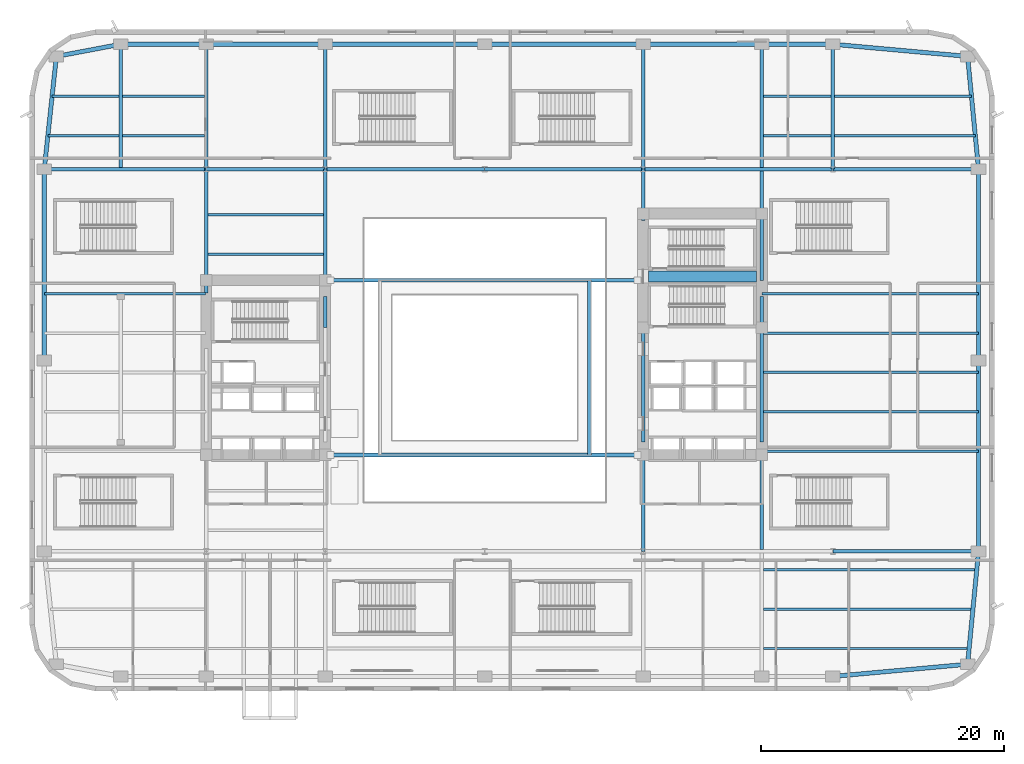
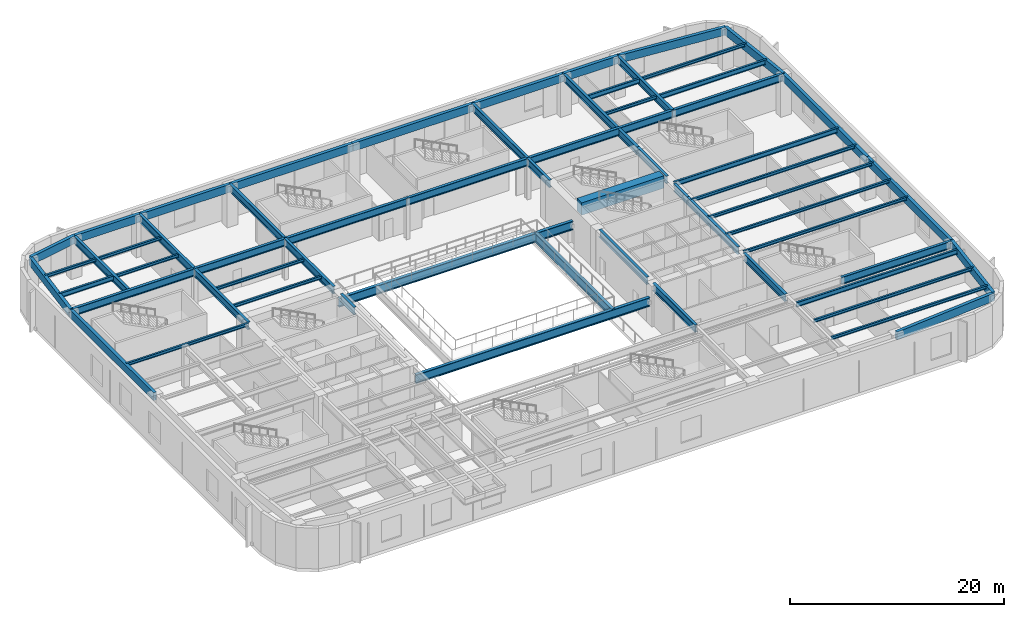
# One storey, part 5 of 24: 62 beams.
"""IFC4 building model written with IfcOpenShell, lengths in metres."""

import ifcopenshell
import ifcopenshell.guid

model = None  # the IFC model being written
_history = None  # IfcOwnerHistory: only IFC2X3 demands one
_inside = {}  # id of a spatial element -> (the spatial element, [elements in it])
_under = {}  # id of a project, library or spatial element -> (it, [spatial elements below it])
_declared = {}  # id of a project -> (the project, [libraries it declares])
_typed = {}  # id of a type object -> (the type object, [elements of that type])
_made_of = {}  # id of a material, layer set ... -> (it, [elements and type objects made of it])


def new_model(schema):
    """Start an empty IFC model of exactly this schema.

    Asked for "IFC4X3", IfcOpenShell would pick the latest addendum, in which some entities
    have other attributes; the version numbers below select the first issue.
    IFC2X3 requires an IfcOwnerHistory on every rooted entity: one is made here for all.
    """
    global model, _history
    if schema == "IFC4X3":
        model = ifcopenshell.file(schema_version=(4, 3, 0, 0))
    else:
        model = ifcopenshell.file(schema=schema)
    _inside.clear()
    _under.clear()
    _declared.clear()
    _typed.clear()
    _made_of.clear()
    _history = None
    if model.schema == "IFC2X3":
        org = make("IfcOrganization", Name="unknown")
        user = make(
            "IfcPersonAndOrganization",
            ThePerson=make("IfcPerson", FamilyName="unknown"),
            TheOrganization=org,
        )
        app = make(
            "IfcApplication",
            ApplicationDeveloper=org,
            Version="unknown",
            ApplicationFullName="unknown",
            ApplicationIdentifier="unknown",
        )
        _history = make(
            "IfcOwnerHistory",
            OwningUser=user,
            OwningApplication=app,
            ChangeAction="ADDED",
            CreationDate=0,
        )
    return model


def make(cls, **values):
    """One entity of the class cls with the attributes given. An attribute that is None is left unset."""
    return model.create_entity(
        cls, **{name: value for name, value in values.items() if value is not None}
    )


def rooted(cls, **values):
    """An entity with a GlobalId (a new one), such as an element, a storey or a relation."""
    return make(cls, GlobalId=ifcopenshell.guid.new(), OwnerHistory=_history, **values)


def si_unit(unit_type, name, prefix=None):
    """IfcSIUnit, for example si_unit("LENGTHUNIT", "METRE", prefix="MILLI")."""
    return make("IfcSIUnit", UnitType=unit_type, Prefix=prefix, Name=name)


def assignment(units):
    """IfcUnitAssignment: the units of a project."""
    return None if units is None else make("IfcUnitAssignment", Units=units)


def point(xyz):
    """IfcCartesianPoint."""
    return None if xyz is None else make("IfcCartesianPoint", Coordinates=xyz)


def direction(xyz):
    """IfcDirection."""
    return None if xyz is None else make("IfcDirection", DirectionRatios=xyz)


def frame(location, z_axis=None, x_axis=None):
    """IfcAxis2Placement3D, a coordinate frame: its origin and axes. An axis left out is left unset."""
    return make(
        "IfcAxis2Placement3D",
        Location=point(location),
        Axis=direction(z_axis),
        RefDirection=direction(x_axis),
    )


def frame_2d(location, x_axis=None):
    """IfcAxis2Placement2D, a coordinate frame in the plane: its origin and x axis."""
    return make(
        "IfcAxis2Placement2D", Location=point(location), RefDirection=direction(x_axis)
    )


def origin():
    """The frame at (0, 0, 0) with its axes left unset."""
    return frame((0.0, 0.0, 0.0))


def origin_2d():
    """The frame at (0, 0) in the plane with its x axis left unset."""
    return frame_2d((0.0, 0.0))


def place(relative_to, where):
    """IfcLocalPlacement: puts the frame where relative to a parent placement (None: the world)."""
    return make(
        "IfcLocalPlacement", PlacementRelTo=relative_to, RelativePlacement=where
    )


def context(
    kind, dimensions, precision=None, world=None, true_north=None, identifier=None
):
    """IfcGeometricRepresentationContext, for example the 3D "Model" context."""
    return make(
        "IfcGeometricRepresentationContext",
        ContextIdentifier=identifier,
        ContextType=kind,
        CoordinateSpaceDimension=dimensions,
        Precision=precision,
        WorldCoordinateSystem=world,
        TrueNorth=true_north,
    )


def subcontext(parent, identifier, kind, view, scale=None):
    """IfcGeometricRepresentationSubContext, for example "Body" below "Model"."""
    return make(
        "IfcGeometricRepresentationSubContext",
        ContextIdentifier=identifier,
        ContextType=kind,
        ParentContext=parent,
        TargetScale=scale,
        TargetView=view,
    )


def project(units=None, contexts=None):
    """IfcProject with its units and contexts."""
    return rooted(
        "IfcProject",
        Name="project",
        RepresentationContexts=contexts,
        UnitsInContext=assignment(units),
    )


def spatial(cls, under=None, at=None, **own):
    """A site, building, storey or space (cls), placed at a placement, below another one or the project."""
    s = rooted(cls, ObjectPlacement=at, **own)
    if under is not None:
        _under.setdefault(under.id(), (under, []))[1].append(s)
    return s


def profile(cls, at=None, kind="AREA", **sizes):
    """A parametric profile (cls). Its sizes go by their IFC names, for example OverallWidth=200.0."""
    return make(cls, ProfileType=kind, Position=at, **sizes)


def rectangle(**sizes):
    """IfcRectangleProfileDef."""
    return profile("IfcRectangleProfileDef", **sizes)


def hollow_rectangle(**sizes):
    """IfcRectangleHollowProfileDef."""
    return profile("IfcRectangleHollowProfileDef", **sizes)


def i_section(**sizes):
    """IfcIShapeProfileDef."""
    return profile("IfcIShapeProfileDef", **sizes)


def extrude(swept, where, along, depth):
    """IfcExtrudedAreaSolid: the profile swept, set in the frame where, extruded along a direction by depth."""
    return make(
        "IfcExtrudedAreaSolid",
        SweptArea=swept,
        Position=where,
        ExtrudedDirection=direction(along),
        Depth=depth,
    )


def shape(context_of_items, identifier, shape_type, items):
    """IfcShapeRepresentation: the items that make up one representation, for example the "Body"."""
    return make(
        "IfcShapeRepresentation",
        ContextOfItems=context_of_items,
        RepresentationIdentifier=identifier,
        RepresentationType=shape_type,
        Items=items,
    )


def material(Name=None, Category=None):
    """IfcMaterial."""
    return make("IfcMaterial", Name=Name, Category=Category)


def material_profile(
    of_material, cross_section, Name=None, Category=None, Priority=None
):
    """IfcMaterialProfile: a cross section and its material."""
    return make(
        "IfcMaterialProfile",
        Name=Name,
        Material=of_material,
        Profile=cross_section,
        Priority=Priority,
        Category=Category,
    )


def profile_set(profiles, Name=None, composite=None):
    """IfcMaterialProfileSet."""
    return make(
        "IfcMaterialProfileSet",
        Name=Name,
        MaterialProfiles=profiles,
        CompositeProfile=composite,
    )


def made_of(thing, what):
    """Note that an element or type object is made of a material, layer set ...; save() writes the relation."""
    if what is not None:
        _made_of.setdefault(what.id(), (what, []))[1].append(thing)
    return thing


def type_object(cls, material=None, **own):
    """A type object (cls), such as IfcWallType, which elements share."""
    return made_of(rooted(cls, **own), material)


def element(
    cls,
    number,
    at=None,
    inside=None,
    cuts=None,
    type_object=None,
    material=None,
    context=None,
    identifier="Body",
    shape_type=None,
    held_by="IfcProductDefinitionShape",
    body=None,
    shapes=None,
    **own,
):
    """One element of the class cls, such as IfcWall. Its Tag is "e" and its number.

    at: its placement. inside: the storey or other place that contains it. cuts: it is an
    opening in that element (IfcRelVoidsElement). A single representation is given by context,
    identifier, shape_type and body (its items); several are given by shapes. held_by: the class
    of the entity that holds the representations. save() writes the other relations.
    """
    e = rooted(cls, Tag="e%d" % number, ObjectPlacement=at, **own)
    if body is not None:
        shapes = [shape(context, identifier, shape_type, body)]
    if shapes is not None:
        e.Representation = make(held_by, Representations=shapes)
    if inside is not None:
        _inside.setdefault(inside.id(), (inside, []))[1].append(e)
    if cuts is not None:
        rooted(
            "IfcRelVoidsElement", RelatingBuildingElement=cuts, RelatedOpeningElement=e
        )
    if type_object is not None:
        _typed.setdefault(type_object.id(), (type_object, []))[1].append(e)
    return made_of(e, material)


def aggregate(whole, parts):
    """IfcRelAggregates: a whole, such as a stair, and the parts it consists of."""
    return rooted("IfcRelAggregates", RelatingObject=whole, RelatedObjects=parts)


def save(model, path):
    """Write the relations noted so far, then the file.

    IfcRelAggregates (storeys below a building ...), IfcRelContainedInSpatialStructure (elements
    in a storey), IfcRelDefinesByType, IfcRelAssociatesMaterial and IfcRelDeclares: one each for
    every whole, place, type object, material and project.
    """
    for whole, parts in _under.values():
        aggregate(whole, parts)
    for where, things in _inside.values():
        rooted(
            "IfcRelContainedInSpatialStructure",
            RelatedElements=things,
            RelatingStructure=where,
        )
    for kind, things in _typed.values():
        rooted("IfcRelDefinesByType", RelatedObjects=things, RelatingType=kind)
    for what, things in _made_of.values():
        rooted("IfcRelAssociatesMaterial", RelatedObjects=things, RelatingMaterial=what)
    for by, libraries in _declared.values():
        rooted("IfcRelDeclares", RelatingContext=by, RelatedDefinitions=libraries)
    model.write(path)


model = new_model("IFC4")

# Units and contexts
model_context = context("Model", 3, precision=1e-05, world=origin(), true_north=direction((0.0, 1.0)))
body_context = subcontext(model_context, "Body", "Model", "MODEL_VIEW")
ifc_project = project(units=[si_unit("LENGTHUNIT", "METRE"), si_unit("AREAUNIT", "SQUARE_METRE"), si_unit("VOLUMEUNIT", "CUBIC_METRE"), si_unit("PLANEANGLEUNIT", "RADIAN"), si_unit("MASSUNIT", "GRAM", prefix="KILO")], contexts=[model_context])

# Site, building, storey
site_placement = place(None, origin())
site = spatial("IfcSite", under=ifc_project, at=site_placement, CompositionType="ELEMENT")
building_placement = place(site_placement, origin())
building = spatial("IfcBuilding", under=site, at=building_placement, Name="Kolvaren Arena Tower", CompositionType="ELEMENT")
storey_placement = place(building_placement, frame((0.0, 0.0, 23.0)))
storey = spatial("IfcBuildingStorey", under=building, at=storey_placement, Name="L04", CompositionType="ELEMENT", Elevation=23.0)

# Beams
ifc_material_1 = material(Name="Steel CSA G40.21 350W", Category="steel")
ifc_material_profile_1 = material_profile(ifc_material_1, i_section(OverallWidth=0.2119140625, OverallDepth=0.54296875, WebThickness=0.01318359375, FlangeThickness=0.0244140625, FilletRadius=0.013916015625, at=origin_2d()), Name="W530x150")
ifc_profile_set_1 = profile_set([ifc_material_profile_1], Name="Steel CSA G40.21 350W")
beam_type_1 = type_object("IfcBeamType", Name="BEAM-F1", PredefinedType="BEAM", material=ifc_profile_set_1)
beam_1_placement = place(storey_placement, frame((60.49609375, 10.0, 4.37841796875), z_axis=(1.0, 0.0, 0.0), x_axis=(0.0, 1.0, 0.0)))
element("IfcBeam", 1, at=beam_1_placement, inside=storey, type_object=beam_type_1, Name="Composite Floor Beam (L04)", PredefinedType="BEAM", context=body_context, shape_type="SweptSolid", body=[
    extrude(i_section(OverallWidth=0.2119140625, OverallDepth=0.54296875, WebThickness=0.01318359375, FlangeThickness=0.0244140625, FilletRadius=0.013916015625, at=origin_2d()), origin(), (0.0, 0.0, 1.0), 17.55859375),
])
beam_2_placement = place(storey_placement, frame((60.3701171875, 32.75, 4.37841796875), z_axis=(1.0, 0.0, 0.0), x_axis=(0.0, 1.0, 0.0)))
element("IfcBeam", 2, at=beam_2_placement, inside=storey, type_object=beam_type_1, Name="Composite Floor Beam (L04)", PredefinedType="BEAM", context=body_context, shape_type="SweptSolid", body=[
    extrude(i_section(OverallWidth=0.2119140625, OverallDepth=0.54296875, WebThickness=0.01318359375, FlangeThickness=0.0244140625, FilletRadius=0.013916015625, at=origin_2d()), origin(), (0.0, 0.0, 1.0), 17.829833984375),
])
beam_3_placement = place(storey_placement, frame((1.49560546875, 45.75, 4.37841796875), z_axis=(1.0, 0.0, 0.0), x_axis=(0.0, 1.0, 0.0)))
element("IfcBeam", 3, at=beam_3_placement, inside=storey, type_object=beam_type_1, Name="Composite Floor Beam (L04)", PredefinedType="BEAM", context=body_context, shape_type="SweptSolid", body=[
    extrude(i_section(OverallWidth=0.2119140625, OverallDepth=0.54296875, WebThickness=0.01318359375, FlangeThickness=0.0244140625, FilletRadius=0.013916015625, at=origin_2d()), origin(), (0.0, 0.0, 1.0), 5.8583984375),
])
beam_4_placement = place(storey_placement, frame((66.345947265625, 45.75, 4.37841796875), z_axis=(1.0, 0.0, 0.0), x_axis=(0.0, 1.0, 0.0)))
element("IfcBeam", 4, at=beam_4_placement, inside=storey, type_object=beam_type_1, Name="Composite Floor Beam (L04)", PredefinedType="BEAM", context=body_context, shape_type="SweptSolid", body=[
    extrude(i_section(OverallWidth=0.2119140625, OverallDepth=0.54296875, WebThickness=0.01318359375, FlangeThickness=0.0244140625, FilletRadius=0.013916015625, at=origin_2d()), origin(), (0.0, 0.0, 1.0), 11.587890625),
])
beam_5_placement = place(storey_placement, frame((60.49609375, 49.0, 4.37841796875), z_axis=(1.0, 0.0, 0.0), x_axis=(0.0, 1.0, 0.0)))
element("IfcBeam", 5, at=beam_5_placement, inside=storey, type_object=beam_type_1, Name="Composite Floor Beam (L04)", PredefinedType="BEAM", context=body_context, shape_type="SweptSolid", body=[
    extrude(i_section(OverallWidth=0.2119140625, OverallDepth=0.54296875, WebThickness=0.01318359375, FlangeThickness=0.0244140625, FilletRadius=0.013916015625, at=origin_2d()), origin(), (0.0, 0.0, 1.0), 5.557861328125),
])
ifc_material_2 = material(Name="Concrete 75 MPa", Category="concrete")
ifc_material_profile_2 = material_profile(ifc_material_2, rectangle(XDim=0.89990234375, YDim=1.39990234375, at=origin_2d()), Name="RC-900x1400")
ifc_profile_set_2 = profile_set([ifc_material_profile_2], Name="Concrete 75 MPa")
beam_type_2 = type_object("IfcBeamType", Name="CB-CORE-1", PredefinedType="BEAM", material=ifc_profile_set_2)
beam_6_placement = place(storey_placement, frame((51.0, 34.14990234375, 4.219970703125), z_axis=(1.0, 0.0, 0.0), x_axis=(0.0, 1.0, 0.0)))
element("IfcBeam", 6, at=beam_6_placement, inside=storey, type_object=beam_type_2, Name="East Core Coupling Beam (L04)", PredefinedType="BEAM", context=body_context, shape_type="SweptSolid", body=[
    extrude(rectangle(XDim=0.89990234375, YDim=1.39990234375, at=origin_2d()), origin(), (0.0, 0.0, 1.0), 8.89990234375),
])
ifc_material_profile_3 = material_profile(ifc_material_1, i_section(OverallWidth=0.2919921875, OverallDepth=0.85498046875, WebThickness=0.02099609375, FlangeThickness=0.03564453125, FilletRadius=0.01806640625, at=origin_2d()), Name="W840x299")
ifc_profile_set_3 = profile_set([ifc_material_profile_3], Name="Steel CSA G40.21 350W")
beam_type_3 = type_object("IfcBeamType", Name="GIRD-P1", PredefinedType="BEAM", material=ifc_profile_set_3)
beam_7_placement = place(storey_placement, frame((66.199951171875, 11.5, 4.222412109375), z_axis=(1.0, 0.0, 0.0), x_axis=(0.0, 1.0, 0.0)))
element("IfcBeam", 7, at=beam_7_placement, inside=storey, type_object=beam_type_3, Name="Primary Floor Girder (L04)", PredefinedType="BEAM", context=body_context, shape_type="SweptSolid", body=[
    extrude(i_section(OverallWidth=0.2919921875, OverallDepth=0.85498046875, WebThickness=0.02099609375, FlangeThickness=0.03564453125, FilletRadius=0.01806640625, at=origin_2d()), origin(), (0.0, 0.0, 1.0), 12.0),
])
beam_8_placement = place(storey_placement, frame((1.199951171875, 43.0, 4.222412109375), z_axis=(1.0, 0.0, 0.0), x_axis=(0.0, 1.0, 0.0)))
element("IfcBeam", 8, at=beam_8_placement, inside=storey, type_object=beam_type_3, Name="Primary Floor Girder (L04)", PredefinedType="BEAM", context=body_context, shape_type="SweptSolid", body=[
    extrude(i_section(OverallWidth=0.2919921875, OverallDepth=0.85498046875, WebThickness=0.02099609375, FlangeThickness=0.03564453125, FilletRadius=0.01806640625, at=origin_2d()), origin(), (0.0, 0.0, 1.0), 13.35009765625),
])
beam_9_placement = place(storey_placement, frame((14.550048828125, 43.0, 4.222412109375), z_axis=(1.0, 0.0, 0.0), x_axis=(0.0, 1.0, 0.0)))
element("IfcBeam", 9, at=beam_9_placement, inside=storey, type_object=beam_type_3, Name="Primary Floor Girder (L04)", PredefinedType="BEAM", context=body_context, shape_type="SweptSolid", body=[
    extrude(i_section(OverallWidth=0.2919921875, OverallDepth=0.85498046875, WebThickness=0.02099609375, FlangeThickness=0.03564453125, FilletRadius=0.01806640625, at=origin_2d()), origin(), (0.0, 0.0, 1.0), 9.800048828125),
])
beam_10_placement = place(storey_placement, frame((24.35009765625, 43.0, 4.222412109375), z_axis=(1.0, 0.0, 0.0), x_axis=(0.0, 1.0, 0.0)))
element("IfcBeam", 10, at=beam_10_placement, inside=storey, type_object=beam_type_3, Name="Primary Floor Girder (L04)", PredefinedType="BEAM", context=body_context, shape_type="SweptSolid", body=[
    extrude(i_section(OverallWidth=0.2919921875, OverallDepth=0.85498046875, WebThickness=0.02099609375, FlangeThickness=0.03564453125, FilletRadius=0.01806640625, at=origin_2d()), origin(), (0.0, 0.0, 1.0), 13.14990234375),
])
beam_11_placement = place(storey_placement, frame((37.5, 43.0, 4.222412109375), z_axis=(1.0, 0.0, 0.0), x_axis=(0.0, 1.0, 0.0)))
element("IfcBeam", 11, at=beam_11_placement, inside=storey, type_object=beam_type_3, Name="Primary Floor Girder (L04)", PredefinedType="BEAM", context=body_context, shape_type="SweptSolid", body=[
    extrude(i_section(OverallWidth=0.2919921875, OverallDepth=0.85498046875, WebThickness=0.02099609375, FlangeThickness=0.03564453125, FilletRadius=0.01806640625, at=origin_2d()), origin(), (0.0, 0.0, 1.0), 13.050048828125),
])
beam_12_placement = place(storey_placement, frame((50.550048828125, 43.0, 4.222412109375), z_axis=(1.0, 0.0, 0.0), x_axis=(0.0, 1.0, 0.0)))
element("IfcBeam", 12, at=beam_12_placement, inside=storey, type_object=beam_type_3, Name="Primary Floor Girder (L04)", PredefinedType="BEAM", context=body_context, shape_type="SweptSolid", body=[
    extrude(i_section(OverallWidth=0.2919921875, OverallDepth=0.85498046875, WebThickness=0.02099609375, FlangeThickness=0.03564453125, FilletRadius=0.01806640625, at=origin_2d()), origin(), (0.0, 0.0, 1.0), 15.64990234375),
])
beam_13_placement = place(storey_placement, frame((66.199951171875, 43.0, 4.222412109375), z_axis=(1.0, 0.0, 0.0), x_axis=(0.0, 1.0, 0.0)))
element("IfcBeam", 13, at=beam_13_placement, inside=storey, type_object=beam_type_3, Name="Primary Floor Girder (L04)", PredefinedType="BEAM", context=body_context, shape_type="SweptSolid", body=[
    extrude(i_section(OverallWidth=0.2919921875, OverallDepth=0.85498046875, WebThickness=0.02099609375, FlangeThickness=0.03564453125, FilletRadius=0.01806640625, at=origin_2d()), origin(), (0.0, 0.0, 1.0), 12.0),
])
beam_14_placement = place(storey_placement, frame((7.5, 43.14599609375, 4.222412109375), z_axis=(0.0, 1.0, 0.0), x_axis=(-1.0, 0.0, 0.0)))
element("IfcBeam", 14, at=beam_14_placement, inside=storey, type_object=beam_type_3, Name="Primary Floor Girder (L04)", PredefinedType="BEAM", context=body_context, shape_type="SweptSolid", body=[
    extrude(i_section(OverallWidth=0.2919921875, OverallDepth=0.85498046875, WebThickness=0.02099609375, FlangeThickness=0.03564453125, FilletRadius=0.01806640625, at=origin_2d()), origin(), (0.0, 0.0, 1.0), 10.154052734375),
])
beam_15_placement = place(storey_placement, frame((14.550048828125, 32.7900390625, 4.222412109375), z_axis=(0.0, 1.0, 0.0), x_axis=(-1.0, 0.0, 0.0)))
element("IfcBeam", 15, at=beam_15_placement, inside=storey, type_object=beam_type_3, Name="Primary Floor Girder (L04)", PredefinedType="BEAM", context=body_context, shape_type="SweptSolid", body=[
    extrude(i_section(OverallWidth=0.2919921875, OverallDepth=0.85498046875, WebThickness=0.02099609375, FlangeThickness=0.03564453125, FilletRadius=0.01806640625, at=origin_2d()), origin(), (0.0, 0.0, 1.0), 10.2099609375),
])
beam_16_placement = place(storey_placement, frame((14.550048828125, 43.0, 4.222412109375), z_axis=(0.0, 1.0, 0.0), x_axis=(-1.0, 0.0, 0.0)))
element("IfcBeam", 16, at=beam_16_placement, inside=storey, type_object=beam_type_3, Name="Primary Floor Girder (L04)", PredefinedType="BEAM", context=body_context, shape_type="SweptSolid", body=[
    extrude(i_section(OverallWidth=0.2919921875, OverallDepth=0.85498046875, WebThickness=0.02099609375, FlangeThickness=0.03564453125, FilletRadius=0.01806640625, at=origin_2d()), origin(), (0.0, 0.0, 1.0), 10.300048828125),
])
beam_17_placement = place(storey_placement, frame((24.35009765625, 29.949951171875, 4.222412109375), z_axis=(0.0, 1.0, 0.0), x_axis=(-1.0, 0.0, 0.0)))
element("IfcBeam", 17, at=beam_17_placement, inside=storey, type_object=beam_type_3, Name="Primary Floor Girder (L04)", PredefinedType="BEAM", context=body_context, shape_type="SweptSolid", body=[
    extrude(i_section(OverallWidth=0.2919921875, OverallDepth=0.85498046875, WebThickness=0.02099609375, FlangeThickness=0.03564453125, FilletRadius=0.01806640625, at=origin_2d()), origin(), (0.0, 0.0, 1.0), 2.550048828125),
])
beam_18_placement = place(storey_placement, frame((24.35009765625, 33.85009765625, 4.222412109375), z_axis=(0.0, 1.0, 0.0), x_axis=(-1.0, 0.0, 0.0)))
element("IfcBeam", 18, at=beam_18_placement, inside=storey, type_object=beam_type_3, Name="Primary Floor Girder (L04)", PredefinedType="BEAM", context=body_context, shape_type="SweptSolid", body=[
    extrude(i_section(OverallWidth=0.2919921875, OverallDepth=0.85498046875, WebThickness=0.02099609375, FlangeThickness=0.03564453125, FilletRadius=0.01806640625, at=origin_2d()), origin(), (0.0, 0.0, 1.0), 9.14990234375),
])
beam_19_placement = place(storey_placement, frame((24.35009765625, 43.0, 4.222412109375), z_axis=(0.0, 1.0, 0.0), x_axis=(-1.0, 0.0, 0.0)))
element("IfcBeam", 19, at=beam_19_placement, inside=storey, type_object=beam_type_3, Name="Primary Floor Girder (L04)", PredefinedType="BEAM", context=body_context, shape_type="SweptSolid", body=[
    extrude(i_section(OverallWidth=0.2919921875, OverallDepth=0.85498046875, WebThickness=0.02099609375, FlangeThickness=0.03564453125, FilletRadius=0.01806640625, at=origin_2d()), origin(), (0.0, 0.0, 1.0), 10.300048828125),
])
beam_20_placement = place(storey_placement, frame((50.550048828125, 11.5, 4.222412109375), z_axis=(0.0, 1.0, 0.0), x_axis=(-1.0, 0.0, 0.0)))
element("IfcBeam", 20, at=beam_20_placement, inside=storey, type_object=beam_type_3, Name="Primary Floor Girder (L04)", PredefinedType="BEAM", context=body_context, shape_type="SweptSolid", body=[
    extrude(i_section(OverallWidth=0.2919921875, OverallDepth=0.85498046875, WebThickness=0.02099609375, FlangeThickness=0.03564453125, FilletRadius=0.01806640625, at=origin_2d()), origin(), (0.0, 0.0, 1.0), 7.949951171875),
])
beam_21_placement = place(storey_placement, frame((50.550048828125, 20.5, 4.222412109375), z_axis=(0.0, 1.0, 0.0), x_axis=(-1.0, 0.0, 0.0)))
element("IfcBeam", 21, at=beam_21_placement, inside=storey, type_object=beam_type_3, Name="Primary Floor Girder (L04)", PredefinedType="BEAM", context=body_context, shape_type="SweptSolid", body=[
    extrude(i_section(OverallWidth=0.2919921875, OverallDepth=0.85498046875, WebThickness=0.02099609375, FlangeThickness=0.03564453125, FilletRadius=0.01806640625, at=origin_2d()), origin(), (0.0, 0.0, 1.0), 8.989990234375),
])
beam_22_placement = place(storey_placement, frame((50.550048828125, 38.760009765625, 4.222412109375), z_axis=(0.0, 1.0, 0.0), x_axis=(-1.0, 0.0, 0.0)))
element("IfcBeam", 22, at=beam_22_placement, inside=storey, type_object=beam_type_3, Name="Primary Floor Girder (L04)", PredefinedType="BEAM", context=body_context, shape_type="SweptSolid", body=[
    extrude(i_section(OverallWidth=0.2919921875, OverallDepth=0.85498046875, WebThickness=0.02099609375, FlangeThickness=0.03564453125, FilletRadius=0.01806640625, at=origin_2d()), origin(), (0.0, 0.0, 1.0), 4.239990234375),
])
beam_23_placement = place(storey_placement, frame((50.550048828125, 43.0, 4.222412109375), z_axis=(0.0, 1.0, 0.0), x_axis=(-1.0, 0.0, 0.0)))
element("IfcBeam", 23, at=beam_23_placement, inside=storey, type_object=beam_type_3, Name="Primary Floor Girder (L04)", PredefinedType="BEAM", context=body_context, shape_type="SweptSolid", body=[
    extrude(i_section(OverallWidth=0.2919921875, OverallDepth=0.85498046875, WebThickness=0.02099609375, FlangeThickness=0.03564453125, FilletRadius=0.01806640625, at=origin_2d()), origin(), (0.0, 0.0, 1.0), 10.300048828125),
])
beam_24_placement = place(storey_placement, frame((60.35009765625, 11.64599609375, 4.222412109375), z_axis=(0.0, 1.0, 0.0), x_axis=(-1.0, 0.0, 0.0)))
element("IfcBeam", 24, at=beam_24_placement, inside=storey, type_object=beam_type_3, Name="Primary Floor Girder (L04)", PredefinedType="BEAM", context=body_context, shape_type="SweptSolid", body=[
    extrude(i_section(OverallWidth=0.2919921875, OverallDepth=0.85498046875, WebThickness=0.02099609375, FlangeThickness=0.03564453125, FilletRadius=0.01806640625, at=origin_2d()), origin(), (0.0, 0.0, 1.0), 7.803955078125),
])
beam_25_placement = place(storey_placement, frame((60.35009765625, 20.5, 4.222412109375), z_axis=(0.0, 1.0, 0.0), x_axis=(-1.0, 0.0, 0.0)))
element("IfcBeam", 25, at=beam_25_placement, inside=storey, type_object=beam_type_3, Name="Primary Floor Girder (L04)", PredefinedType="BEAM", context=body_context, shape_type="SweptSolid", body=[
    extrude(i_section(OverallWidth=0.2919921875, OverallDepth=0.85498046875, WebThickness=0.02099609375, FlangeThickness=0.03564453125, FilletRadius=0.01806640625, at=origin_2d()), origin(), (0.0, 0.0, 1.0), 9.449951171875),
])
beam_26_placement = place(storey_placement, frame((60.35009765625, 29.949951171875, 4.222412109375), z_axis=(0.0, 1.0, 0.0), x_axis=(-1.0, 0.0, 0.0)))
element("IfcBeam", 26, at=beam_26_placement, inside=storey, type_object=beam_type_3, Name="Primary Floor Girder (L04)", PredefinedType="BEAM", context=body_context, shape_type="SweptSolid", body=[
    extrude(i_section(OverallWidth=0.2919921875, OverallDepth=0.85498046875, WebThickness=0.02099609375, FlangeThickness=0.03564453125, FilletRadius=0.01806640625, at=origin_2d()), origin(), (0.0, 0.0, 1.0), 2.550048828125),
])
beam_27_placement = place(storey_placement, frame((60.35009765625, 33.85009765625, 4.222412109375), z_axis=(0.0, 1.0, 0.0), x_axis=(-1.0, 0.0, 0.0)))
element("IfcBeam", 27, at=beam_27_placement, inside=storey, type_object=beam_type_3, Name="Primary Floor Girder (L04)", PredefinedType="BEAM", context=body_context, shape_type="SweptSolid", body=[
    extrude(i_section(OverallWidth=0.2919921875, OverallDepth=0.85498046875, WebThickness=0.02099609375, FlangeThickness=0.03564453125, FilletRadius=0.01806640625, at=origin_2d()), origin(), (0.0, 0.0, 1.0), 5.5),
])
beam_28_placement = place(storey_placement, frame((60.35009765625, 39.35009765625, 4.222412109375), z_axis=(0.0, 1.0, 0.0), x_axis=(-1.0, 0.0, 0.0)))
element("IfcBeam", 28, at=beam_28_placement, inside=storey, type_object=beam_type_3, Name="Primary Floor Girder (L04)", PredefinedType="BEAM", context=body_context, shape_type="SweptSolid", body=[
    extrude(i_section(OverallWidth=0.2919921875, OverallDepth=0.85498046875, WebThickness=0.02099609375, FlangeThickness=0.03564453125, FilletRadius=0.01806640625, at=origin_2d()), origin(), (0.0, 0.0, 1.0), 3.50390625),
])
beam_29_placement = place(storey_placement, frame((60.35009765625, 43.14599609375, 4.222412109375), z_axis=(0.0, 1.0, 0.0), x_axis=(-1.0, 0.0, 0.0)))
element("IfcBeam", 29, at=beam_29_placement, inside=storey, type_object=beam_type_3, Name="Primary Floor Girder (L04)", PredefinedType="BEAM", context=body_context, shape_type="SweptSolid", body=[
    extrude(i_section(OverallWidth=0.2919921875, OverallDepth=0.85498046875, WebThickness=0.02099609375, FlangeThickness=0.03564453125, FilletRadius=0.01806640625, at=origin_2d()), origin(), (0.0, 0.0, 1.0), 10.154052734375),
])
beam_30_placement = place(storey_placement, frame((66.199951171875, 43.0, 4.222412109375), z_axis=(0.0, 1.0, 0.0), x_axis=(-1.0, 0.0, 0.0)))
element("IfcBeam", 30, at=beam_30_placement, inside=storey, type_object=beam_type_3, Name="Primary Floor Girder (L04)", PredefinedType="BEAM", context=body_context, shape_type="SweptSolid", body=[
    extrude(i_section(OverallWidth=0.2919921875, OverallDepth=0.85498046875, WebThickness=0.02099609375, FlangeThickness=0.03564453125, FilletRadius=0.01806640625, at=origin_2d()), origin(), (0.0, 0.0, 1.0), 10.300048828125),
])
ifc_material_profile_4 = material_profile(ifc_material_1, i_section(OverallWidth=0.202880859375, OverallDepth=0.346923828125, WebThickness=0.0078125, FlangeThickness=0.013427734375, FilletRadius=0.010986328125, at=origin_2d()), Name="W360x64")
ifc_profile_set_4 = profile_set([ifc_material_profile_4], Name="Steel CSA G40.21 350W")
beam_type_4 = type_object("IfcBeamType", Name="JOIST-01", PredefinedType="JOIST", material=ifc_profile_set_4)
beam_31_placement = place(storey_placement, frame((60.49609375, 3.5, 4.4765625), z_axis=(1.0, 0.0, 0.0), x_axis=(0.0, 1.0, 0.0)))
element("IfcBeam", 31, at=beam_31_placement, inside=storey, type_object=beam_type_4, Name="Composite Floor Joist (L04)", PredefinedType="JOIST", context=body_context, shape_type="SweptSolid", body=[
    extrude(i_section(OverallWidth=0.202880859375, OverallDepth=0.346923828125, WebThickness=0.0078125, FlangeThickness=0.013427734375, FilletRadius=0.010986328125, at=origin_2d()), origin(), (0.0, 0.0, 1.0), 16.9296875),
])
beam_32_placement = place(storey_placement, frame((60.49609375, 6.75, 4.4765625), z_axis=(1.0, 0.0, 0.0), x_axis=(0.0, 1.0, 0.0)))
element("IfcBeam", 32, at=beam_32_placement, inside=storey, type_object=beam_type_4, Name="Composite Floor Joist (L04)", PredefinedType="JOIST", context=body_context, shape_type="SweptSolid", body=[
    extrude(i_section(OverallWidth=0.202880859375, OverallDepth=0.346923828125, WebThickness=0.0078125, FlangeThickness=0.013427734375, FilletRadius=0.010986328125, at=origin_2d()), origin(), (0.0, 0.0, 1.0), 17.244140625),
])
for number, where, z_axis, x_axis, name in (
    (33, (60.3701171875, 19.75, 4.4765625), (1.0, 0.0, 0.0), (0.0, 1.0, 0.0), "Composite Floor Joist (L04)"),
    (34, (60.3701171875, 23.0, 4.4765625), (1.0, 0.0, 0.0), (0.0, 1.0, 0.0), "Composite Floor Joist (L04)"),
    (35, (60.3701171875, 26.25, 4.4765625), (1.0, 0.0, 0.0), (0.0, 1.0, 0.0), "Composite Floor Joist (L04)"),
    (36, (60.3701171875, 29.5, 4.4765625), (1.0, 0.0, 0.0), (0.0, 1.0, 0.0), "Composite Floor Joist (L04)"),
):
    element("IfcBeam", number, at=place(storey_placement, frame(where, z_axis=z_axis, x_axis=x_axis)), inside=storey, type_object=beam_type_4, Name=name, PredefinedType="JOIST", context=body_context, shape_type="SweptSolid", body=[
        extrude(i_section(OverallWidth=0.202880859375, OverallDepth=0.346923828125, WebThickness=0.0078125, FlangeThickness=0.013427734375, FilletRadius=0.010986328125, at=origin_2d()), origin(), (0.0, 0.0, 1.0), 17.829833984375),
    ])
beam_33_placement = place(storey_placement, frame((1.199951171875, 32.75, 4.4765625), z_axis=(1.0, 0.0, 0.0), x_axis=(0.0, 1.0, 0.0)))
element("IfcBeam", 37, at=beam_33_placement, inside=storey, type_object=beam_type_4, Name="Composite Floor Joist (L04)", PredefinedType="JOIST", context=body_context, shape_type="SweptSolid", body=[
    extrude(i_section(OverallWidth=0.202880859375, OverallDepth=0.346923828125, WebThickness=0.0078125, FlangeThickness=0.013427734375, FilletRadius=0.010986328125, at=origin_2d()), origin(), (0.0, 0.0, 1.0), 13.280029296875),
])
for number, where, z_axis, x_axis, name in (
    (38, (14.696044921875, 36.0, 4.4765625), (1.0, 0.0, 0.0), (0.0, 1.0, 0.0), "Composite Floor Joist (L04)"),
    (39, (14.696044921875, 39.25, 4.4765625), (1.0, 0.0, 0.0), (0.0, 1.0, 0.0), "Composite Floor Joist (L04)"),
):
    element("IfcBeam", number, at=place(storey_placement, frame(where, z_axis=z_axis, x_axis=x_axis)), inside=storey, type_object=beam_type_4, Name=name, PredefinedType="JOIST", context=body_context, shape_type="SweptSolid", body=[
        extrude(i_section(OverallWidth=0.202880859375, OverallDepth=0.346923828125, WebThickness=0.0078125, FlangeThickness=0.013427734375, FilletRadius=0.010986328125, at=origin_2d()), origin(), (0.0, 0.0, 1.0), 9.508056640625),
    ])
beam_34_placement = place(storey_placement, frame((7.64599609375, 45.75, 4.4765625), z_axis=(1.0, 0.0, 0.0), x_axis=(0.0, 1.0, 0.0)))
element("IfcBeam", 40, at=beam_34_placement, inside=storey, type_object=beam_type_4, Name="Composite Floor Joist (L04)", PredefinedType="JOIST", context=body_context, shape_type="SweptSolid", body=[
    extrude(i_section(OverallWidth=0.202880859375, OverallDepth=0.346923828125, WebThickness=0.0078125, FlangeThickness=0.013427734375, FilletRadius=0.010986328125, at=origin_2d()), origin(), (0.0, 0.0, 1.0), 6.758056640625),
])
beam_35_placement = place(storey_placement, frame((60.49609375, 45.75, 4.4765625), z_axis=(1.0, 0.0, 0.0), x_axis=(0.0, 1.0, 0.0)))
element("IfcBeam", 41, at=beam_35_placement, inside=storey, type_object=beam_type_4, Name="Composite Floor Joist (L04)", PredefinedType="JOIST", context=body_context, shape_type="SweptSolid", body=[
    extrude(i_section(OverallWidth=0.202880859375, OverallDepth=0.346923828125, WebThickness=0.0078125, FlangeThickness=0.013427734375, FilletRadius=0.010986328125, at=origin_2d()), origin(), (0.0, 0.0, 1.0), 5.557861328125),
])
beam_36_placement = place(storey_placement, frame((1.84521484375, 49.0, 4.4765625), z_axis=(1.0, 0.0, 0.0), x_axis=(0.0, 1.0, 0.0)))
element("IfcBeam", 42, at=beam_36_placement, inside=storey, type_object=beam_type_4, Name="Composite Floor Joist (L04)", PredefinedType="JOIST", context=body_context, shape_type="SweptSolid", body=[
    extrude(i_section(OverallWidth=0.202880859375, OverallDepth=0.346923828125, WebThickness=0.0078125, FlangeThickness=0.013427734375, FilletRadius=0.010986328125, at=origin_2d()), origin(), (0.0, 0.0, 1.0), 5.5087890625),
])
beam_37_placement = place(storey_placement, frame((7.64599609375, 49.0, 4.4765625), z_axis=(1.0, 0.0, 0.0), x_axis=(0.0, 1.0, 0.0)))
element("IfcBeam", 43, at=beam_37_placement, inside=storey, type_object=beam_type_4, Name="Composite Floor Joist (L04)", PredefinedType="JOIST", context=body_context, shape_type="SweptSolid", body=[
    extrude(i_section(OverallWidth=0.202880859375, OverallDepth=0.346923828125, WebThickness=0.0078125, FlangeThickness=0.013427734375, FilletRadius=0.010986328125, at=origin_2d()), origin(), (0.0, 0.0, 1.0), 6.758056640625),
])
beam_38_placement = place(storey_placement, frame((66.345947265625, 49.0, 4.4765625), z_axis=(1.0, 0.0, 0.0), x_axis=(0.0, 1.0, 0.0)))
element("IfcBeam", 44, at=beam_38_placement, inside=storey, type_object=beam_type_4, Name="Composite Floor Joist (L04)", PredefinedType="JOIST", context=body_context, shape_type="SweptSolid", body=[
    extrude(i_section(OverallWidth=0.202880859375, OverallDepth=0.346923828125, WebThickness=0.0078125, FlangeThickness=0.013427734375, FilletRadius=0.010986328125, at=origin_2d()), origin(), (0.0, 0.0, 1.0), 11.2734375),
])
ifc_material_profile_5 = material_profile(ifc_material_1, i_section(OverallWidth=0.323974609375, OverallDepth=1.011962890625, WebThickness=0.02685546875, FlangeThickness=0.0458984375, FilletRadius=0.02197265625, at=origin_2d()), Name="W1000x443")
ifc_profile_set_5 = profile_set([ifc_material_profile_5], Name="Steel CSA G40.21 350W")
beam_type_5 = type_object("IfcBeamType", Name="RAKER-01", PredefinedType="USERDEFINED", material=ifc_profile_set_5)
for number, where, z_axis, x_axis, name in (
    (45, (24.800048828125, 19.449951171875, 2.68408203125), (1.0, 0.0, 0.0), (0.0, 1.0, 0.0), "Arena Bowl Raker Girder (L04 S)"),
    (46, (24.800048828125, 33.85009765625, 2.68408203125), (1.0, 0.0, 0.0), (0.0, 1.0, 0.0), "Arena Bowl Raker Girder (L04 N)"),
):
    element("IfcBeam", number, at=place(storey_placement, frame(where, z_axis=z_axis, x_axis=x_axis)), inside=storey, type_object=beam_type_5, Name=name, ObjectType="RAKER GIRDER", PredefinedType="USERDEFINED", context=body_context, shape_type="SweptSolid", body=[
        extrude(i_section(OverallWidth=0.323974609375, OverallDepth=1.011962890625, WebThickness=0.02685546875, FlangeThickness=0.0458984375, FilletRadius=0.02197265625, at=origin_2d()), origin(), (0.0, 0.0, 1.0), 25.300048828125),
    ])
beam_39_placement = place(storey_placement, frame((46.14990234375, 19.449951171875, 2.68408203125), z_axis=(0.0, 1.0, 0.0), x_axis=(-1.0, 0.0, 0.0)))
element("IfcBeam", 47, at=beam_39_placement, inside=storey, type_object=beam_type_5, Name="Arena Bowl Raker Girder (L04 E)", ObjectType="RAKER GIRDER", PredefinedType="USERDEFINED", context=body_context, shape_type="SweptSolid", body=[
    extrude(i_section(OverallWidth=0.323974609375, OverallDepth=1.011962890625, WebThickness=0.02685546875, FlangeThickness=0.0458984375, FilletRadius=0.02197265625, at=origin_2d()), origin(), (0.0, 0.0, 1.0), 14.400146484375),
])
ifc_material_3 = material(Name="Steel CSA G40.21 350WT", Category="steel")
ifc_material_profile_6 = material_profile(ifc_material_3, hollow_rectangle(XDim=0.35009765625, YDim=0.89990234375, WallThickness=0.02001953125, at=origin_2d()), Name="HSS 900x350x20")
ifc_profile_set_6 = profile_set([ifc_material_profile_6], Name="Steel CSA G40.21 350WT")
beam_type_6 = type_object("IfcBeamType", Name="SPAND-01", PredefinedType="SPANDREL", material=ifc_profile_set_6)
beam_40_placement = place(storey_placement, frame((66.199951171875, 1.199951171875, 4.199951171875), z_axis=(0.995966494892, 0.089725921855, 0.0), x_axis=(-0.089725921855, 0.995966494892, 0.0)))
element("IfcBeam", 48, at=beam_40_placement, inside=storey, type_object=beam_type_6, Name="Perimeter Spandrel Beam (L04)", PredefinedType="SPANDREL", context=body_context, shape_type="SweptSolid", body=[
    extrude(hollow_rectangle(XDim=0.35009765625, YDim=0.89990234375, WallThickness=0.02001953125, at=origin_2d()), origin(), (0.0, 0.0, 1.0), 11.14501953125),
])
beam_41_placement = place(storey_placement, frame((77.300048828125, 2.199951171875, 4.199951171875), z_axis=(0.09631333899, 0.995351064064, 0.0), x_axis=(-0.995351064064, 0.09631333899, 0.0)))
element("IfcBeam", 49, at=beam_41_placement, inside=storey, type_object=beam_type_6, Name="Perimeter Spandrel Beam (L04)", PredefinedType="SPANDREL", context=body_context, shape_type="SweptSolid", body=[
    extrude(hollow_rectangle(XDim=0.35009765625, YDim=0.89990234375, WallThickness=0.02001953125, at=origin_2d()), origin(), (0.0, 0.0, 1.0), 9.343505859375),
])
for number, where, z_axis, x_axis, name in (
    (50, (78.199951171875, 11.5, 4.199951171875), (0.0, 1.0, 0.0), (-1.0, 0.0, 0.0), "Perimeter Spandrel Beam (L04)"),
    (51, (78.199951171875, 27.25, 4.199951171875), (0.0, 1.0, 0.0), (-1.0, 0.0, 0.0), "Perimeter Spandrel Beam (L04)"),
):
    element("IfcBeam", number, at=place(storey_placement, frame(where, z_axis=z_axis, x_axis=x_axis)), inside=storey, type_object=beam_type_6, Name=name, PredefinedType="SPANDREL", context=body_context, shape_type="SweptSolid", body=[
        extrude(hollow_rectangle(XDim=0.35009765625, YDim=0.89990234375, WallThickness=0.02001953125, at=origin_2d()), origin(), (0.0, 0.0, 1.0), 15.75),
    ])
beam_42_placement = place(storey_placement, frame((78.199951171875, 43.0, 4.199951171875), z_axis=(-0.09631333899, 0.995351064064, 0.0), x_axis=(-0.995351064064, -0.09631333899, 0.0)))
element("IfcBeam", 52, at=beam_42_placement, inside=storey, type_object=beam_type_6, Name="Perimeter Spandrel Beam (L04)", PredefinedType="SPANDREL", context=body_context, shape_type="SweptSolid", body=[
    extrude(hollow_rectangle(XDim=0.35009765625, YDim=0.89990234375, WallThickness=0.02001953125, at=origin_2d()), origin(), (0.0, 0.0, 1.0), 9.343505859375),
])
beam_43_placement = place(storey_placement, frame((77.300048828125, 52.300048828125, 4.199951171875), z_axis=(-0.995966494892, 0.089725921855, 0.0), x_axis=(-0.089725921855, -0.995966494892, 0.0)))
element("IfcBeam", 53, at=beam_43_placement, inside=storey, type_object=beam_type_6, Name="Perimeter Spandrel Beam (L04)", PredefinedType="SPANDREL", context=body_context, shape_type="SweptSolid", body=[
    extrude(hollow_rectangle(XDim=0.35009765625, YDim=0.89990234375, WallThickness=0.02001953125, at=origin_2d()), origin(), (0.0, 0.0, 1.0), 11.14501953125),
])
beam_44_placement = place(storey_placement, frame((66.199951171875, 53.300048828125, 4.199951171875), z_axis=(-1.0, 0.0, 0.0), x_axis=(0.0, -1.0, 0.0)))
element("IfcBeam", 54, at=beam_44_placement, inside=storey, type_object=beam_type_6, Name="Perimeter Spandrel Beam (L04)", PredefinedType="SPANDREL", context=body_context, shape_type="SweptSolid", body=[
    extrude(hollow_rectangle(XDim=0.35009765625, YDim=0.89990234375, WallThickness=0.02001953125, at=origin_2d()), origin(), (0.0, 0.0, 1.0), 5.849853515625),
])
beam_45_placement = place(storey_placement, frame((60.35009765625, 53.300048828125, 4.199951171875), z_axis=(-1.0, 0.0, 0.0), x_axis=(0.0, -1.0, 0.0)))
element("IfcBeam", 55, at=beam_45_placement, inside=storey, type_object=beam_type_6, Name="Perimeter Spandrel Beam (L04)", PredefinedType="SPANDREL", context=body_context, shape_type="SweptSolid", body=[
    extrude(hollow_rectangle(XDim=0.35009765625, YDim=0.89990234375, WallThickness=0.02001953125, at=origin_2d()), origin(), (0.0, 0.0, 1.0), 9.800048828125),
])
beam_46_placement = place(storey_placement, frame((50.550048828125, 53.300048828125, 4.199951171875), z_axis=(-1.0, 0.0, 0.0), x_axis=(0.0, -1.0, 0.0)))
element("IfcBeam", 56, at=beam_46_placement, inside=storey, type_object=beam_type_6, Name="Perimeter Spandrel Beam (L04)", PredefinedType="SPANDREL", context=body_context, shape_type="SweptSolid", body=[
    extrude(hollow_rectangle(XDim=0.35009765625, YDim=0.89990234375, WallThickness=0.02001953125, at=origin_2d()), origin(), (0.0, 0.0, 1.0), 13.050048828125),
])
beam_47_placement = place(storey_placement, frame((37.5, 53.300048828125, 4.199951171875), z_axis=(-1.0, 0.0, 0.0), x_axis=(0.0, -1.0, 0.0)))
element("IfcBeam", 57, at=beam_47_placement, inside=storey, type_object=beam_type_6, Name="Perimeter Spandrel Beam (L04)", PredefinedType="SPANDREL", context=body_context, shape_type="SweptSolid", body=[
    extrude(hollow_rectangle(XDim=0.35009765625, YDim=0.89990234375, WallThickness=0.02001953125, at=origin_2d()), origin(), (0.0, 0.0, 1.0), 13.14990234375),
])
beam_48_placement = place(storey_placement, frame((24.35009765625, 53.300048828125, 4.199951171875), z_axis=(-1.0, 0.0, 0.0), x_axis=(0.0, -1.0, 0.0)))
element("IfcBeam", 58, at=beam_48_placement, inside=storey, type_object=beam_type_6, Name="Perimeter Spandrel Beam (L04)", PredefinedType="SPANDREL", context=body_context, shape_type="SweptSolid", body=[
    extrude(hollow_rectangle(XDim=0.35009765625, YDim=0.89990234375, WallThickness=0.02001953125, at=origin_2d()), origin(), (0.0, 0.0, 1.0), 9.800048828125),
])
beam_49_placement = place(storey_placement, frame((14.550048828125, 53.300048828125, 4.199951171875), z_axis=(-1.0, 0.0, 0.0), x_axis=(0.0, -1.0, 0.0)))
element("IfcBeam", 59, at=beam_49_placement, inside=storey, type_object=beam_type_6, Name="Perimeter Spandrel Beam (L04)", PredefinedType="SPANDREL", context=body_context, shape_type="SweptSolid", body=[
    extrude(hollow_rectangle(XDim=0.35009765625, YDim=0.89990234375, WallThickness=0.02001953125, at=origin_2d()), origin(), (0.0, 0.0, 1.0), 7.050048828125),
])
beam_50_placement = place(storey_placement, frame((7.5, 53.300048828125, 4.199951171875), z_axis=(-0.982661964955, -0.185406209796, 0.0), x_axis=(0.185406209796, -0.982661964955, 0.0)))
element("IfcBeam", 60, at=beam_50_placement, inside=storey, type_object=beam_type_6, Name="Perimeter Spandrel Beam (L04)", PredefinedType="SPANDREL", context=body_context, shape_type="SweptSolid", body=[
    extrude(hollow_rectangle(XDim=0.35009765625, YDim=0.89990234375, WallThickness=0.02001953125, at=origin_2d()), origin(), (0.0, 0.0, 1.0), 5.3935546875),
])
beam_51_placement = place(storey_placement, frame((2.199951171875, 52.300048828125, 4.199951171875), z_axis=(-0.106910051219, -0.994268696555, 0.0), x_axis=(0.994268696555, -0.106910051219, 0.0)))
element("IfcBeam", 61, at=beam_51_placement, inside=storey, type_object=beam_type_6, Name="Perimeter Spandrel Beam (L04)", PredefinedType="SPANDREL", context=body_context, shape_type="SweptSolid", body=[
    extrude(hollow_rectangle(XDim=0.35009765625, YDim=0.89990234375, WallThickness=0.02001953125, at=origin_2d()), origin(), (0.0, 0.0, 1.0), 9.353759765625),
])
beam_52_placement = place(storey_placement, frame((1.199951171875, 43.0, 4.199951171875), z_axis=(0.0, -1.0, 0.0), x_axis=(1.0, 0.0, 0.0)))
element("IfcBeam", 62, at=beam_52_placement, inside=storey, type_object=beam_type_6, Name="Perimeter Spandrel Beam (L04)", PredefinedType="SPANDREL", context=body_context, shape_type="SweptSolid", body=[
    extrude(hollow_rectangle(XDim=0.35009765625, YDim=0.89990234375, WallThickness=0.02001953125, at=origin_2d()), origin(), (0.0, 0.0, 1.0), 15.75),
])

save(model, "model.ifc")
